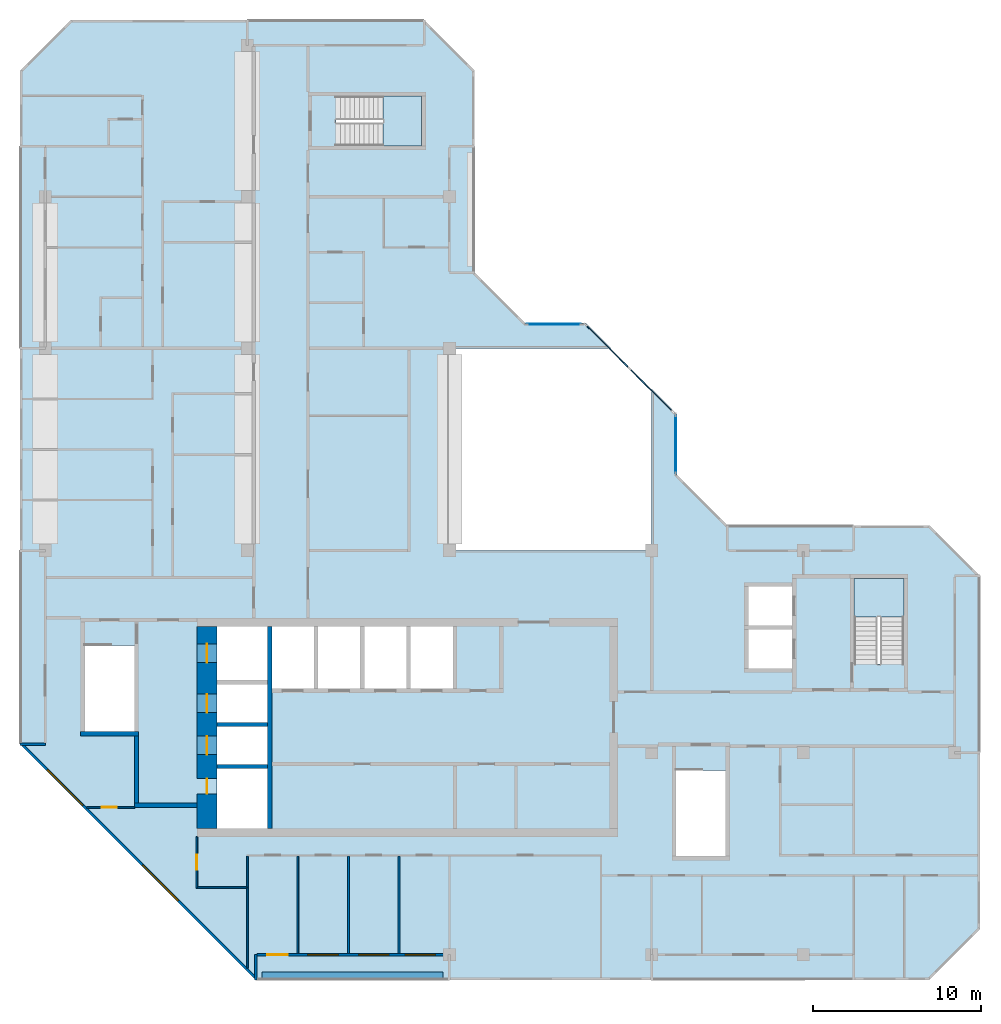
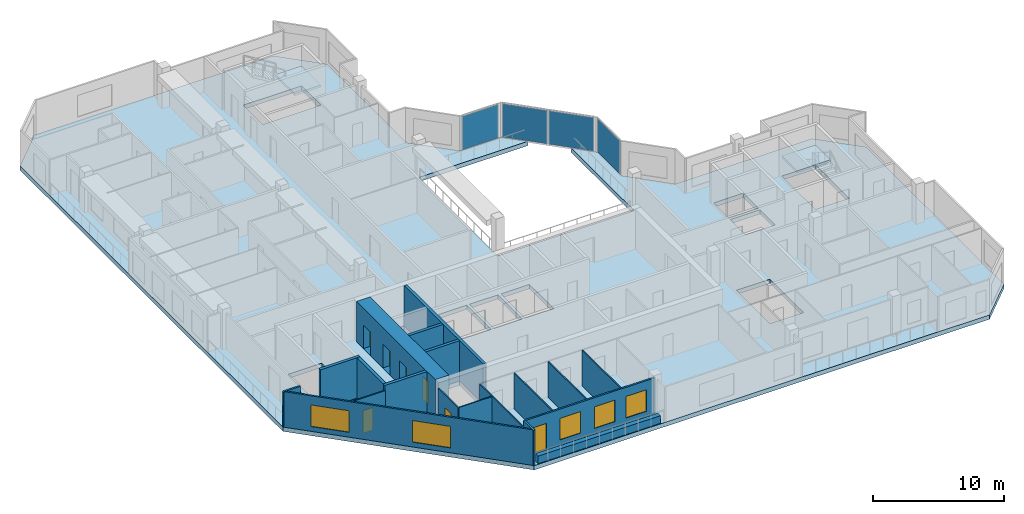
# One storey, part 3 of 11: 19 walls, 7 doors, 5 windows, 4 plates, 3 slabs, 12 openings, 5 elements without a shape of their own.
"""IFC4 building model written with IfcOpenShell, lengths in metres."""

import ifcopenshell
import ifcopenshell.guid

model = None  # the IFC model being written
_history = None  # IfcOwnerHistory: only IFC2X3 demands one
_inside = {}  # id of a spatial element -> (the spatial element, [elements in it])
_under = {}  # id of a project, library or spatial element -> (it, [spatial elements below it])
_declared = {}  # id of a project -> (the project, [libraries it declares])
_typed = {}  # id of a type object -> (the type object, [elements of that type])
_made_of = {}  # id of a material, layer set ... -> (it, [elements and type objects made of it])


def new_model(schema):
    """Start an empty IFC model of exactly this schema.

    Asked for "IFC4X3", IfcOpenShell would pick the latest addendum, in which some entities
    have other attributes; the version numbers below select the first issue.
    IFC2X3 requires an IfcOwnerHistory on every rooted entity: one is made here for all.
    """
    global model, _history
    if schema == "IFC4X3":
        model = ifcopenshell.file(schema_version=(4, 3, 0, 0))
    else:
        model = ifcopenshell.file(schema=schema)
    _inside.clear()
    _under.clear()
    _declared.clear()
    _typed.clear()
    _made_of.clear()
    _history = None
    if model.schema == "IFC2X3":
        org = make("IfcOrganization", Name="unknown")
        user = make(
            "IfcPersonAndOrganization",
            ThePerson=make("IfcPerson", FamilyName="unknown"),
            TheOrganization=org,
        )
        app = make(
            "IfcApplication",
            ApplicationDeveloper=org,
            Version="unknown",
            ApplicationFullName="unknown",
            ApplicationIdentifier="unknown",
        )
        _history = make(
            "IfcOwnerHistory",
            OwningUser=user,
            OwningApplication=app,
            ChangeAction="ADDED",
            CreationDate=0,
        )
    return model


def make(cls, **values):
    """One entity of the class cls with the attributes given. An attribute that is None is left unset."""
    return model.create_entity(
        cls, **{name: value for name, value in values.items() if value is not None}
    )


def rooted(cls, **values):
    """An entity with a GlobalId (a new one), such as an element, a storey or a relation."""
    return make(cls, GlobalId=ifcopenshell.guid.new(), OwnerHistory=_history, **values)


def si_unit(unit_type, name, prefix=None):
    """IfcSIUnit, for example si_unit("LENGTHUNIT", "METRE", prefix="MILLI")."""
    return make("IfcSIUnit", UnitType=unit_type, Prefix=prefix, Name=name)


def assignment(units):
    """IfcUnitAssignment: the units of a project."""
    return None if units is None else make("IfcUnitAssignment", Units=units)


def point(xyz):
    """IfcCartesianPoint."""
    return None if xyz is None else make("IfcCartesianPoint", Coordinates=xyz)


def direction(xyz):
    """IfcDirection."""
    return None if xyz is None else make("IfcDirection", DirectionRatios=xyz)


def frame(location, z_axis=None, x_axis=None):
    """IfcAxis2Placement3D, a coordinate frame: its origin and axes. An axis left out is left unset."""
    return make(
        "IfcAxis2Placement3D",
        Location=point(location),
        Axis=direction(z_axis),
        RefDirection=direction(x_axis),
    )


def frame_2d(location, x_axis=None):
    """IfcAxis2Placement2D, a coordinate frame in the plane: its origin and x axis."""
    return make(
        "IfcAxis2Placement2D", Location=point(location), RefDirection=direction(x_axis)
    )


def origin():
    """The frame at (0, 0, 0) with its axes left unset."""
    return frame((0.0, 0.0, 0.0))


def origin_2d():
    """The frame at (0, 0) in the plane with its x axis left unset."""
    return frame_2d((0.0, 0.0))


def place(relative_to, where):
    """IfcLocalPlacement: puts the frame where relative to a parent placement (None: the world)."""
    return make(
        "IfcLocalPlacement", PlacementRelTo=relative_to, RelativePlacement=where
    )


def context(
    kind, dimensions, precision=None, world=None, true_north=None, identifier=None
):
    """IfcGeometricRepresentationContext, for example the 3D "Model" context."""
    return make(
        "IfcGeometricRepresentationContext",
        ContextIdentifier=identifier,
        ContextType=kind,
        CoordinateSpaceDimension=dimensions,
        Precision=precision,
        WorldCoordinateSystem=world,
        TrueNorth=true_north,
    )


def subcontext(parent, identifier, kind, view, scale=None):
    """IfcGeometricRepresentationSubContext, for example "Body" below "Model"."""
    return make(
        "IfcGeometricRepresentationSubContext",
        ContextIdentifier=identifier,
        ContextType=kind,
        ParentContext=parent,
        TargetScale=scale,
        TargetView=view,
    )


def project(units=None, contexts=None):
    """IfcProject with its units and contexts."""
    return rooted(
        "IfcProject",
        Name="project",
        RepresentationContexts=contexts,
        UnitsInContext=assignment(units),
    )


def spatial(cls, under=None, at=None, **own):
    """A site, building, storey or space (cls), placed at a placement, below another one or the project."""
    s = rooted(cls, ObjectPlacement=at, **own)
    if under is not None:
        _under.setdefault(under.id(), (under, []))[1].append(s)
    return s


def polyline(points):
    """IfcPolyline through the points."""
    return make("IfcPolyline", Points=[point(p) for p in points])


def profile(cls, at=None, kind="AREA", **sizes):
    """A parametric profile (cls). Its sizes go by their IFC names, for example OverallWidth=200.0."""
    return make(cls, ProfileType=kind, Position=at, **sizes)


def rectangle(**sizes):
    """IfcRectangleProfileDef."""
    return profile("IfcRectangleProfileDef", **sizes)


def outline(outer, holes=None, kind="AREA"):
    """IfcArbitraryClosedProfileDef: a profile drawn as a closed curve; with holes, ...WithVoids."""
    if holes is None:
        return make("IfcArbitraryClosedProfileDef", ProfileType=kind, OuterCurve=outer)
    return make(
        "IfcArbitraryProfileDefWithVoids",
        ProfileType=kind,
        OuterCurve=outer,
        InnerCurves=holes,
    )


def extrude(swept, where, along, depth):
    """IfcExtrudedAreaSolid: the profile swept, set in the frame where, extruded along a direction by depth."""
    return make(
        "IfcExtrudedAreaSolid",
        SweptArea=swept,
        Position=where,
        ExtrudedDirection=direction(along),
        Depth=depth,
    )


def shape(context_of_items, identifier, shape_type, items):
    """IfcShapeRepresentation: the items that make up one representation, for example the "Body"."""
    return make(
        "IfcShapeRepresentation",
        ContextOfItems=context_of_items,
        RepresentationIdentifier=identifier,
        RepresentationType=shape_type,
        Items=items,
    )


def material(Name=None, Category=None):
    """IfcMaterial."""
    return make("IfcMaterial", Name=Name, Category=Category)


def layer(
    of_material, thickness, ventilated=None, Name=None, Category=None, Priority=None
):
    """IfcMaterialLayer: one layer of a wall or slab, of a material (None: an air gap)."""
    return make(
        "IfcMaterialLayer",
        Material=of_material,
        LayerThickness=thickness,
        IsVentilated=ventilated,
        Name=Name,
        Category=Category,
        Priority=Priority,
    )


def layer_set(layers, Name=None):
    """IfcMaterialLayerSet."""
    return make("IfcMaterialLayerSet", MaterialLayers=layers, LayerSetName=Name)


def made_of(thing, what):
    """Note that an element or type object is made of a material, layer set ...; save() writes the relation."""
    if what is not None:
        _made_of.setdefault(what.id(), (what, []))[1].append(thing)
    return thing


def type_object(cls, material=None, **own):
    """A type object (cls), such as IfcWallType, which elements share."""
    return made_of(rooted(cls, **own), material)


def element(
    cls,
    number,
    at=None,
    inside=None,
    cuts=None,
    type_object=None,
    material=None,
    context=None,
    identifier="Body",
    shape_type=None,
    held_by="IfcProductDefinitionShape",
    body=None,
    shapes=None,
    **own,
):
    """One element of the class cls, such as IfcWall. Its Tag is "e" and its number.

    at: its placement. inside: the storey or other place that contains it. cuts: it is an
    opening in that element (IfcRelVoidsElement). A single representation is given by context,
    identifier, shape_type and body (its items); several are given by shapes. held_by: the class
    of the entity that holds the representations. save() writes the other relations.
    """
    e = rooted(cls, Tag="e%d" % number, ObjectPlacement=at, **own)
    if body is not None:
        shapes = [shape(context, identifier, shape_type, body)]
    if shapes is not None:
        e.Representation = make(held_by, Representations=shapes)
    if inside is not None:
        _inside.setdefault(inside.id(), (inside, []))[1].append(e)
    if cuts is not None:
        rooted(
            "IfcRelVoidsElement", RelatingBuildingElement=cuts, RelatedOpeningElement=e
        )
    if type_object is not None:
        _typed.setdefault(type_object.id(), (type_object, []))[1].append(e)
    return made_of(e, material)


def fill(opening, filler):
    """IfcRelFillsElement: the door or window that sits in an opening."""
    return rooted(
        "IfcRelFillsElement",
        RelatingOpeningElement=opening,
        RelatedBuildingElement=filler,
    )


def aggregate(whole, parts):
    """IfcRelAggregates: a whole, such as a stair, and the parts it consists of."""
    return rooted("IfcRelAggregates", RelatingObject=whole, RelatedObjects=parts)


def save(model, path):
    """Write the relations noted so far, then the file.

    IfcRelAggregates (storeys below a building ...), IfcRelContainedInSpatialStructure (elements
    in a storey), IfcRelDefinesByType, IfcRelAssociatesMaterial and IfcRelDeclares: one each for
    every whole, place, type object, material and project.
    """
    for whole, parts in _under.values():
        aggregate(whole, parts)
    for where, things in _inside.values():
        rooted(
            "IfcRelContainedInSpatialStructure",
            RelatedElements=things,
            RelatingStructure=where,
        )
    for kind, things in _typed.values():
        rooted("IfcRelDefinesByType", RelatedObjects=things, RelatingType=kind)
    for what, things in _made_of.values():
        rooted("IfcRelAssociatesMaterial", RelatedObjects=things, RelatingMaterial=what)
    for by, libraries in _declared.values():
        rooted("IfcRelDeclares", RelatingContext=by, RelatedDefinitions=libraries)
    model.write(path)


model = new_model("IFC4")

# Units and contexts
model_context = context("Model", 3, precision=1e-05, world=origin(), true_north=direction((0.0, 1.0)))
body_context = subcontext(model_context, "Body", "Model", "MODEL_VIEW")
ifc_project = project(units=[si_unit("LENGTHUNIT", "METRE"), si_unit("AREAUNIT", "SQUARE_METRE"), si_unit("VOLUMEUNIT", "CUBIC_METRE"), si_unit("PLANEANGLEUNIT", "RADIAN"), si_unit("MASSUNIT", "GRAM", prefix="KILO")], contexts=[model_context])

# Site, building, storey
site_placement = place(None, origin())
site = spatial("IfcSite", under=ifc_project, at=site_placement, CompositionType="ELEMENT")
building_placement = place(site_placement, origin())
building = spatial("IfcBuilding", under=site, at=building_placement, Name="Chenar Terraces", CompositionType="ELEMENT")
storey_placement = place(building_placement, frame((0.0, 0.0, 380.14990234375)))
storey = spatial("IfcBuildingStorey", under=building, at=storey_placement, Name="L89", CompositionType="ELEMENT", Elevation=380.14990234375)

# Curtain wall, plate
ifc_material_1 = material(Name="Aluminium framed glazing", Category="aluminium")
ifc_layer_1 = layer(ifc_material_1, 0.14990234375)
ifc_layer_set_1 = layer_set([ifc_layer_1], Name="Aluminium framed glazing")
curtain_wall_type = type_object("IfcCurtainWallType", Name="Atrium upper-zone curtain wall", PredefinedType="NOTDEFINED", material=ifc_layer_set_1)
placement_1 = place(storey_placement, origin())
curtain_wall_1 = element("IfcCurtainWall", 1, at=placement_1, inside=storey, type_object=curtain_wall_type, Name="Atrium upper-zone curtain wall", PredefinedType="NOTDEFINED")
ifc_material_2 = material(Name="Low emissivity laminated glass, solar control coating", Category="glass")
ifc_layer_2 = layer(ifc_material_2, 0.050048828125)
ifc_layer_set_2 = layer_set([ifc_layer_2], Name="Low emissivity laminated glass, solar control coating")
plate_type = type_object("IfcPlateType", Name="Atrium upper-zone glazing panel 50", PredefinedType="CURTAIN_PANEL", material=ifc_layer_set_2)
plate_1_placement = place(storey_placement, frame((37.425048828125, 30.300048828125, 0.10009765625), z_axis=(0.0, 0.0, 1.0), x_axis=(0.0, 1.0, 0.0)))
plate_1 = element("IfcPlate", 2, at=plate_1_placement, type_object=plate_type, Name="CW8-1 panel 1.1", PredefinedType="CURTAIN_PANEL", context=body_context, shape_type="SweptSolid", body=[
    extrude(rectangle(XDim=3.39990234375, YDim=0.050048828125, at=origin_2d()), origin(), (0.0, 0.0, 1.0), 3.10009765625),
])
aggregate(curtain_wall_1, [plate_1])

# Curtain wall, plates
curtain_wall_2 = element("IfcCurtainWall", 3, at=placement_1, inside=storey, type_object=curtain_wall_type, Name="Atrium upper-zone curtain wall", PredefinedType="NOTDEFINED")
plate_2_placement = place(storey_placement, frame((35.97314453125, 33.520751953125, 0.10009765625), z_axis=(0.0, 0.0, 1.0), x_axis=(-0.707106781187, 0.707106781187, 0.0)))
plate_2 = element("IfcPlate", 4, at=plate_2_placement, type_object=plate_type, Name="CW8-2 panel 1.1", PredefinedType="CURTAIN_PANEL", context=body_context, shape_type="SweptSolid", body=[
    extrude(rectangle(XDim=3.568359375, YDim=0.050048828125, at=origin_2d()), origin(), (0.0, 0.0, 1.0), 3.10009765625),
])
plate_3_placement = place(storey_placement, frame((33.379150390625, 36.11474609375, 0.10009765625), z_axis=(0.0, 0.0, 1.0), x_axis=(-0.707106781187, 0.707106781187, 0.0)))
plate_3 = element("IfcPlate", 5, at=plate_3_placement, type_object=plate_type, Name="CW8-2 panel 2.1", PredefinedType="CURTAIN_PANEL", context=body_context, shape_type="SweptSolid", body=[
    extrude(rectangle(XDim=3.568359375, YDim=0.050048828125, at=origin_2d()), origin(), (0.0, 0.0, 1.0), 3.10009765625),
])
aggregate(curtain_wall_2, [plate_2, plate_3])

# Curtain wall, plate
curtain_wall_3 = element("IfcCurtainWall", 6, at=placement_1, inside=storey, type_object=curtain_wall_type, Name="Atrium upper-zone curtain wall", PredefinedType="NOTDEFINED")
plate_4_placement = place(storey_placement, frame((30.199951171875, 37.425048828125, 0.10009765625), z_axis=(0.0, 0.0, 1.0), x_axis=(-1.0, 0.0, 0.0)))
plate_4 = element("IfcPlate", 7, at=plate_4_placement, type_object=plate_type, Name="CW8-3 panel 1.1", PredefinedType="CURTAIN_PANEL", context=body_context, shape_type="SweptSolid", body=[
    extrude(rectangle(XDim=3.199951171875, YDim=0.050048828125, at=origin_2d()), origin(), (0.0, 0.0, 1.0), 3.10009765625),
])
aggregate(curtain_wall_3, [plate_4])

# Stair, slab
ifc_material_3 = material(Name="Reinforced concrete C40/50", Category="concrete")
stair_type = type_object("IfcStairType", Name="Core stair 1400 half-turn", PredefinedType="HALF_TURN_STAIR", material=ifc_material_3)
stair_1 = element("IfcStair", 8, at=placement_1, inside=storey, type_object=stair_type, Name="L89 Stair 3", PredefinedType="HALF_TURN_STAIR")
ifc_material_4 = material(Name="Reinforced concrete C40/50", Category="concrete")
ifc_layer_3 = layer(ifc_material_4, 0.199951171875)
ifc_layer_set_3 = layer_set([ifc_layer_3], Name="Reinforced concrete C40/50")
slab_type_1 = type_object("IfcSlabType", Name="Core stair landing 200", PredefinedType="LANDING", material=ifc_layer_set_3)
placement_2 = place(storey_placement, frame((0.0, 0.0, 1.675048828125)))
slab_1 = element("IfcSlab", 9, at=placement_2, type_object=slab_type_1, Name="ST3 landing 1", PredefinedType="LANDING", context=body_context, shape_type="SweptSolid", body=[
    extrude(outline(polyline([(50.97509765625, 20.050048828125), (50.97509765625, 22.35009765625), (48.02490234375, 22.35009765625), (48.02490234375, 20.050048828125), (50.97509765625, 20.050048828125)])), origin(), (0.0, 0.0, 1.0), 0.199951171875),
])
aggregate(stair_1, [slab_1])

stair_2 = element("IfcStair", 10, at=placement_1, inside=storey, type_object=stair_type, Name="L89 Stair 4", PredefinedType="HALF_TURN_STAIR")
slab_2 = element("IfcSlab", 11, at=placement_2, type_object=slab_type_1, Name="ST4 landing 1", PredefinedType="LANDING", context=body_context, shape_type="SweptSolid", body=[
    extrude(outline(polyline([(20.050048828125, 48.02490234375), (22.35009765625, 48.02490234375), (22.35009765625, 50.97509765625), (20.050048828125, 50.97509765625), (20.050048828125, 48.02490234375)])), origin(), (0.0, 0.0, 1.0), 0.199951171875),
])
aggregate(stair_2, [slab_2])

# Slab
ifc_material_5 = material(Name="Concrete C40/50", Category="concrete")
ifc_layer_4 = layer(ifc_material_5, 0.39990234375)
ifc_layer_set_4 = layer_set([ifc_layer_4], Name="Concrete C40/50")
slab_type_2 = type_object("IfcSlabType", Name="Floor slab 400 Concrete C40/50", PredefinedType="FLOOR", material=ifc_layer_set_4)
slab_3_placement = place(storey_placement, frame((0.0, 0.0, -0.39990234375)))
element("IfcSlab", 12, at=slab_3_placement, inside=storey, type_object=slab_type_2, Name="Floor slab L89", PredefinedType="FLOOR", context=body_context, shape_type="SweptSolid", body=[
    extrude(outline(polyline([(55.5, 22.5), (55.5, 1.5), (52.5, -1.5), (12.5, -1.5), (-1.5, 12.5), (-1.5, 52.5), (1.5, 55.5), (22.5, 55.5), (25.5, 52.5), (25.5, 40.5), (28.5, 37.5), (32.10009765625, 37.5), (33.60009765625, 36.0), (24.0, 36.0), (24.0, 24.0), (36.0, 24.0), (36.0, 33.60009765625), (37.5, 32.10009765625), (37.5, 28.5), (40.5, 25.5), (52.5, 25.5), (55.5, 22.5)]), holes=[polyline([(10.199951171875, 11.050048828125), (10.199951171875, 7.5), (13.199951171875, 7.5), (13.199951171875, 11.050048828125), (10.199951171875, 11.050048828125)]), polyline([(13.199951171875, 13.550048828125), (10.199951171875, 13.550048828125), (10.199951171875, 11.300048828125), (13.199951171875, 11.300048828125), (13.199951171875, 13.550048828125)]), polyline([(13.199951171875, 16.050048828125), (10.199951171875, 16.050048828125), (10.199951171875, 13.800048828125), (13.199951171875, 13.800048828125), (13.199951171875, 16.050048828125)]), polyline([(2.35009765625, 13.25), (5.300048828125, 13.25), (5.300048828125, 18.35009765625), (2.35009765625, 18.35009765625), (2.35009765625, 13.25)]), polyline([(15.949951171875, 19.5), (13.449951171875, 19.5), (13.449951171875, 15.800048828125), (15.949951171875, 15.800048828125), (15.949951171875, 19.5)]), polyline([(18.699951171875, 19.5), (16.199951171875, 19.5), (16.199951171875, 15.800048828125), (18.699951171875, 15.800048828125), (18.699951171875, 19.5)]), polyline([(13.199951171875, 19.5), (10.199951171875, 19.5), (10.199951171875, 16.300048828125), (13.199951171875, 16.300048828125), (13.199951171875, 19.5)]), polyline([(22.35009765625, 48.02490234375), (22.35009765625, 50.97509765625), (17.25, 50.97509765625), (17.25, 48.02490234375), (22.35009765625, 48.02490234375)]), polyline([(37.449951171875, 5.85009765625), (40.39990234375, 5.85009765625), (40.39990234375, 10.949951171875), (37.449951171875, 10.949951171875), (37.449951171875, 5.85009765625)]), polyline([(21.449951171875, 19.5), (18.949951171875, 19.5), (18.949951171875, 15.800048828125), (21.449951171875, 15.800048828125), (21.449951171875, 19.5)]), polyline([(24.199951171875, 19.5), (21.699951171875, 19.5), (21.699951171875, 15.800048828125), (24.199951171875, 15.800048828125), (24.199951171875, 19.5)]), polyline([(44.35009765625, 19.300048828125), (41.75, 19.300048828125), (41.75, 17.0), (44.35009765625, 17.0), (44.35009765625, 19.300048828125)]), polyline([(50.97509765625, 22.35009765625), (48.02490234375, 22.35009765625), (48.02490234375, 17.25), (50.97509765625, 17.25), (50.97509765625, 22.35009765625)]), polyline([(44.35009765625, 21.85009765625), (41.75, 21.85009765625), (41.75, 19.550048828125), (44.35009765625, 19.550048828125), (44.35009765625, 21.85009765625)])]), origin(), (0.0, 0.0, 1.0), 0.39990234375),
])

# Wall, openings, doors
ifc_material_6 = material(Name="Concrete C50/60", Category="concrete")
ifc_layer_5 = layer(ifc_material_6, 1.199951171875)
ifc_layer_set_5 = layer_set([ifc_layer_5], Name="Concrete C50/60")
wall_type_1 = type_object("IfcWallType", Name="Core wall 1200 Concrete C50/60", PredefinedType="SHEAR", material=ifc_layer_set_5)
wall_1_placement = place(storey_placement, frame((9.60009765625, 7.5, 0.0), z_axis=(0.0, 0.0, 1.0), x_axis=(0.0, 1.0, 0.0)))
wall_1 = element("IfcWall", 13, at=wall_1_placement, inside=storey, type_object=wall_type_1, Name="Core wall W L89", PredefinedType="SHEAR", context=body_context, shape_type="SweptSolid", body=[
    extrude(rectangle(XDim=12.0, YDim=1.199951171875, at=frame_2d((6.0, 0.0))), origin(), (0.0, 0.0, 1.0), 3.75),
])
opening_1_placement = place(wall_1_placement, frame((4.375, 0.0, 0.0)))
opening_1 = element("IfcOpeningElement", 14, at=opening_1_placement, cuts=wall_1, Name="Opening DL89-LD5", PredefinedType="OPENING", context=body_context, shape_type="SweptSolid", body=[
    extrude(rectangle(XDim=1.10009765625, YDim=2.199951171875, at=frame_2d((0.550048828125, 1.10009765625))), frame((0.0, 0.60986328125, 0.0), z_axis=(0.0, -1.0, 0.0), x_axis=(1.0, 0.0, 0.0)), (0.0, 0.0, 1.0), 1.219970703125),
])
opening_2_placement = place(wall_1_placement, frame((6.875, 0.0, 0.0)))
opening_2 = element("IfcOpeningElement", 15, at=opening_2_placement, cuts=wall_1, Name="Opening DL89-LD6", PredefinedType="OPENING", context=body_context, shape_type="SweptSolid", body=[
    extrude(rectangle(XDim=1.10009765625, YDim=2.199951171875, at=frame_2d((0.550048828125, 1.10009765625))), frame((0.0, 0.60986328125, 0.0), z_axis=(0.0, -1.0, 0.0), x_axis=(1.0, 0.0, 0.0)), (0.0, 0.0, 1.0), 1.219970703125),
])
opening_3_placement = place(wall_1_placement, frame((9.85009765625, 0.0, 0.0)))
opening_3 = element("IfcOpeningElement", 16, at=opening_3_placement, cuts=wall_1, Name="Opening DL89-LD7", PredefinedType="OPENING", context=body_context, shape_type="SweptSolid", body=[
    extrude(rectangle(XDim=1.10009765625, YDim=2.199951171875, at=frame_2d((0.550048828125, 1.10009765625))), frame((0.0, 0.60986328125, 0.0), z_axis=(0.0, -1.0, 0.0), x_axis=(1.0, 0.0, 0.0)), (0.0, 0.0, 1.0), 1.219970703125),
])
opening_4_placement = place(wall_1_placement, frame((2.050048828125, 0.0, 0.0)))
opening_4 = element("IfcOpeningElement", 17, at=opening_4_placement, cuts=wall_1, Name="Opening DL89-C4", PredefinedType="OPENING", context=body_context, shape_type="SweptSolid", body=[
    extrude(rectangle(XDim=0.89990234375, YDim=2.10009765625, at=frame_2d((0.449951171875, 1.050048828125))), frame((0.0, 0.60986328125, 0.0), z_axis=(0.0, -1.0, 0.0), x_axis=(1.0, 0.0, 0.0)), (0.0, 0.0, 1.0), 1.219970703125),
])
ifc_material_7 = material(Name="Stainless steel", Category="steel")
door_type_1 = type_object("IfcDoorType", Name="Lift landing door 1100 x 2200 sliding", OperationType="DOUBLE_DOOR_SLIDING", PredefinedType="DOOR", material=ifc_material_7)
door_1_placement = place(opening_1_placement, origin())
door_1 = element("IfcDoor", 18, at=door_1_placement, inside=storey, type_object=door_type_1, Name="Landing door S1", OperationType="DOUBLE_DOOR_SLIDING", OverallHeight=2.199951171875, OverallWidth=1.10009765625, PredefinedType="DOOR", context=body_context, shape_type="SweptSolid", body=[
    extrude(rectangle(XDim=1.10009765625, YDim=2.199951171875, at=frame_2d((0.550048828125, 1.10009765625))), frame((0.0, 0.02490234375, 0.0), z_axis=(0.0, -1.0, 0.0), x_axis=(1.0, 0.0, 0.0)), (0.0, 0.0, 1.0), 0.050048828125),
])
fill(opening_1, door_1)
door_2_placement = place(opening_2_placement, origin())
door_2 = element("IfcDoor", 19, at=door_2_placement, inside=storey, type_object=door_type_1, Name="Landing door F1", OperationType="DOUBLE_DOOR_SLIDING", OverallHeight=2.199951171875, OverallWidth=1.10009765625, PredefinedType="DOOR", context=body_context, shape_type="SweptSolid", body=[
    extrude(rectangle(XDim=1.10009765625, YDim=2.199951171875, at=frame_2d((0.550048828125, 1.10009765625))), frame((0.0, 0.02490234375, 0.0), z_axis=(0.0, -1.0, 0.0), x_axis=(1.0, 0.0, 0.0)), (0.0, 0.0, 1.0), 0.050048828125),
])
fill(opening_2, door_2)
door_3_placement = place(opening_3_placement, origin())
door_3 = element("IfcDoor", 20, at=door_3_placement, inside=storey, type_object=door_type_1, Name="Landing door F2", OperationType="DOUBLE_DOOR_SLIDING", OverallHeight=2.199951171875, OverallWidth=1.10009765625, PredefinedType="DOOR", context=body_context, shape_type="SweptSolid", body=[
    extrude(rectangle(XDim=1.10009765625, YDim=2.199951171875, at=frame_2d((0.550048828125, 1.10009765625))), frame((0.0, 0.02490234375, 0.0), z_axis=(0.0, -1.0, 0.0), x_axis=(1.0, 0.0, 0.0)), (0.0, 0.0, 1.0), 0.050048828125),
])
fill(opening_3, door_3)
ifc_material_8 = material(Name="Steel-framed fire-resisting door leaf", Category="steel")
door_type_2 = type_object("IfcDoorType", Name="Riser fire door FD60 900 x 2100", OperationType="SINGLE_SWING_LEFT", PredefinedType="DOOR", material=ifc_material_8)
door_4_placement = place(opening_4_placement, frame((0.89990234375, 0.0, 0.0), z_axis=(0.0, 0.0, 1.0), x_axis=(-1.0, 0.0, 0.0)))
door_4 = element("IfcDoor", 21, at=door_4_placement, inside=storey, type_object=door_type_2, Name="Riser door DL89-C4", OperationType="SINGLE_SWING_LEFT", OverallHeight=2.10009765625, OverallWidth=0.89990234375, PredefinedType="DOOR", context=body_context, shape_type="SweptSolid", body=[
    extrude(rectangle(XDim=0.89990234375, YDim=2.10009765625, at=frame_2d((0.449951171875, 1.050048828125))), frame((0.0, 0.02490234375, 0.0), z_axis=(0.0, -1.0, 0.0), x_axis=(1.0, 0.0, 0.0)), (0.0, 0.0, 1.0), 0.050048828125),
])
fill(opening_4, door_4)

# Walls
ifc_material_9 = material(Name="Concrete C50/60", Category="concrete")
ifc_layer_6 = layer(ifc_material_9, 0.25)
ifc_layer_set_6 = layer_set([ifc_layer_6], Name="Concrete C50/60")
wall_type_2 = type_object("IfcWallType", Name="Core wall 250 Concrete C50/60", PredefinedType="SHEAR", material=ifc_layer_set_6)
wall_2_placement = place(storey_placement, frame((13.324951171875, 7.5, 0.0), z_axis=(0.0, 0.0, 1.0), x_axis=(0.0, 1.0, 0.0)))
element("IfcWall", 22, at=wall_2_placement, inside=storey, type_object=wall_type_2, Name="Core wall WI L89", PredefinedType="SHEAR", context=body_context, shape_type="SweptSolid", body=[
    extrude(rectangle(XDim=12.0, YDim=0.25, at=frame_2d((6.0, 0.0))), origin(), (0.0, 0.0, 1.0), 3.75),
])
for number, where, z_axis, x_axis, name in (
    (23, (10.199951171875, 11.175048828125, 0.0), (0.0, 0.0, 1.0), (1.0, 0.0, 0.0), "Core wall HW0 L89"),
    (24, (10.199951171875, 13.675048828125, 0.0), (0.0, 0.0, 1.0), (1.0, 0.0, 0.0), "Core wall HW1 L89"),
):
    element("IfcWall", number, at=place(storey_placement, frame(where, z_axis=z_axis, x_axis=x_axis)), inside=storey, type_object=wall_type_2, Name=name, PredefinedType="SHEAR", context=body_context, shape_type="SweptSolid", body=[
        extrude(rectangle(XDim=3.0, YDim=0.25, at=frame_2d((1.5, 0.0))), origin(), (0.0, 0.0, 1.0), 3.75),
    ])
wall_3_placement = place(storey_placement, frame((2.10009765625, 13.125, 0.0), z_axis=(0.0, 0.0, 1.0), x_axis=(1.0, 0.0, 0.0)))
element("IfcWall", 25, at=wall_3_placement, inside=storey, type_object=wall_type_2, Name="Core wall ST1_S L89", PredefinedType="SHEAR", context=body_context, shape_type="SweptSolid", body=[
    extrude(rectangle(XDim=3.449951171875, YDim=0.25, at=frame_2d((1.72509765625, 0.0))), origin(), (0.0, 0.0, 1.0), 3.75),
])
wall_4_placement = place(storey_placement, frame((5.300048828125, 8.875, 0.0), z_axis=(0.0, 0.0, 1.0), x_axis=(1.0, 0.0, 0.0)))
element("IfcWall", 26, at=wall_4_placement, inside=storey, type_object=wall_type_2, Name="Core wall FFL_S L89", PredefinedType="SHEAR", context=body_context, shape_type="SweptSolid", body=[
    extrude(rectangle(XDim=3.699951171875, YDim=0.25, at=frame_2d((1.85009765625, 0.0))), origin(), (0.0, 0.0, 1.0), 3.75),
])
wall_5_placement = place(storey_placement, frame((5.425048828125, 9.0, 0.0), z_axis=(0.0, 0.0, 1.0), x_axis=(0.0, 1.0, 0.0)))
element("IfcWall", 27, at=wall_5_placement, inside=storey, type_object=wall_type_2, Name="Core wall FFL_W L89", PredefinedType="SHEAR", context=body_context, shape_type="SweptSolid", body=[
    extrude(rectangle(XDim=4.0, YDim=0.25, at=frame_2d((2.0, 0.0))), origin(), (0.0, 0.0, 1.0), 3.75),
])

# Wall, openings, windows, door
ifc_material_10 = material(Name="Aluminium framed glazing", Category="aluminium")
ifc_layer_7 = layer(ifc_material_10, 0.14990234375)
ifc_layer_set_7 = layer_set([ifc_layer_7], Name="Aluminium framed glazing")
wall_type_3 = type_object("IfcWallType", Name="Glazed loggia back wall 150", PredefinedType="SOLIDWALL", material=ifc_layer_set_7)
wall_6_placement = place(storey_placement, frame((12.574951171875, 0.0, 0.0), z_axis=(0.0, 0.0, 1.0), x_axis=(1.0, 0.0, 0.0)))
wall_6 = element("IfcWall", 28, at=wall_6_placement, inside=storey, type_object=wall_type_3, Name="Glazed loggia back wall", PredefinedType="SOLIDWALL", context=body_context, shape_type="SweptSolid", body=[
    extrude(rectangle(XDim=11.35009765625, YDim=0.14990234375, at=frame_2d((5.675048828125, 0.0))), origin(), (0.0, 0.0, 1.0), 3.300048828125),
])
opening_5_placement = place(wall_6_placement, frame((0.612548828125, 0.0, 0.0)))
opening_5 = element("IfcOpeningElement", 29, at=opening_5_placement, cuts=wall_6, Name="Opening DL89-G3", PredefinedType="OPENING", context=body_context, shape_type="SweptSolid", body=[
    extrude(rectangle(XDim=1.199951171875, YDim=2.39990234375, at=frame_2d((0.60009765625, 1.199951171875))), frame((0.0, 0.0849609375, 0.0), z_axis=(0.0, -1.0, 0.0), x_axis=(1.0, 0.0, 0.0)), (0.0, 0.0, 1.0), 0.169921875),
])
opening_6_placement = place(wall_6_placement, frame((3.02490234375, 0.0, 0.449951171875)))
opening_6 = element("IfcOpeningElement", 30, at=opening_6_placement, cuts=wall_6, Name="Opening W180x200", PredefinedType="OPENING", context=body_context, shape_type="SweptSolid", body=[
    extrude(rectangle(XDim=1.800048828125, YDim=2.0, at=frame_2d((0.89990234375, 1.0))), frame((0.0, 0.0849609375, 0.0), z_axis=(0.0, -1.0, 0.0), x_axis=(1.0, 0.0, 0.0)), (0.0, 0.0, 1.0), 0.169921875),
])
opening_7_placement = place(wall_6_placement, frame((6.02490234375, 0.0, 0.449951171875)))
opening_7 = element("IfcOpeningElement", 31, at=opening_7_placement, cuts=wall_6, Name="Opening W180x200", PredefinedType="OPENING", context=body_context, shape_type="SweptSolid", body=[
    extrude(rectangle(XDim=1.800048828125, YDim=2.0, at=frame_2d((0.89990234375, 1.0))), frame((0.0, 0.0849609375, 0.0), z_axis=(0.0, -1.0, 0.0), x_axis=(1.0, 0.0, 0.0)), (0.0, 0.0, 1.0), 0.169921875),
])
opening_8_placement = place(wall_6_placement, frame((8.78759765625, 0.0, 0.449951171875)))
opening_8 = element("IfcOpeningElement", 32, at=opening_8_placement, cuts=wall_6, Name="Opening W180x200", PredefinedType="OPENING", context=body_context, shape_type="SweptSolid", body=[
    extrude(rectangle(XDim=1.800048828125, YDim=2.0, at=frame_2d((0.89990234375, 1.0))), frame((0.0, 0.0849609375, 0.0), z_axis=(0.0, -1.0, 0.0), x_axis=(1.0, 0.0, 0.0)), (0.0, 0.0, 1.0), 0.169921875),
])
ifc_material_11 = material(Name="Low emissivity double glazing, aluminium frame", Category="aluminium")
window_type_1 = type_object("IfcWindowType", Name="Fixed light 1800 x 2000", PartitioningType="SINGLE_PANEL", PredefinedType="WINDOW", material=ifc_material_11)
window_1_placement = place(opening_6_placement, origin())
window_1 = element("IfcWindow", 33, at=window_1_placement, inside=storey, type_object=window_type_1, Name="Window", OverallHeight=2.0, OverallWidth=1.800048828125, PartitioningType="SINGLE_PANEL", PredefinedType="WINDOW", context=body_context, shape_type="SweptSolid", body=[
    extrude(rectangle(XDim=1.800048828125, YDim=2.0, at=frame_2d((0.89990234375, 1.0))), frame((0.0, 0.030029296875, 0.0), z_axis=(0.0, -1.0, 0.0), x_axis=(1.0, 0.0, 0.0)), (0.0, 0.0, 1.0), 0.06005859375),
])
fill(opening_6, window_1)
window_2_placement = place(opening_7_placement, origin())
window_2 = element("IfcWindow", 34, at=window_2_placement, inside=storey, type_object=window_type_1, Name="Window", OverallHeight=2.0, OverallWidth=1.800048828125, PartitioningType="SINGLE_PANEL", PredefinedType="WINDOW", context=body_context, shape_type="SweptSolid", body=[
    extrude(rectangle(XDim=1.800048828125, YDim=2.0, at=frame_2d((0.89990234375, 1.0))), frame((0.0, 0.030029296875, 0.0), z_axis=(0.0, -1.0, 0.0), x_axis=(1.0, 0.0, 0.0)), (0.0, 0.0, 1.0), 0.06005859375),
])
fill(opening_7, window_2)
window_3_placement = place(opening_8_placement, origin())
window_3 = element("IfcWindow", 35, at=window_3_placement, inside=storey, type_object=window_type_1, Name="Window", OverallHeight=2.0, OverallWidth=1.800048828125, PartitioningType="SINGLE_PANEL", PredefinedType="WINDOW", context=body_context, shape_type="SweptSolid", body=[
    extrude(rectangle(XDim=1.800048828125, YDim=2.0, at=frame_2d((0.89990234375, 1.0))), frame((0.0, 0.030029296875, 0.0), z_axis=(0.0, -1.0, 0.0), x_axis=(1.0, 0.0, 0.0)), (0.0, 0.0, 1.0), 0.06005859375),
])
fill(opening_8, window_3)
ifc_material_12 = material(Name="Low emissivity double glazing, aluminium frame", Category="aluminium")
door_type_3 = type_object("IfcDoorType", Name="Loggia glazed double door 1200 x 2400", OperationType="DOUBLE_DOOR_SINGLE_SWING", PredefinedType="DOOR", material=ifc_material_12)
door_5_placement = place(opening_5_placement, frame((1.199951171875, 0.0, 0.0), z_axis=(0.0, 0.0, 1.0), x_axis=(-1.0, 0.0, 0.0)))
door_5 = element("IfcDoor", 36, at=door_5_placement, inside=storey, type_object=door_type_3, Name="Loggia glazed door", OperationType="DOUBLE_DOOR_SINGLE_SWING", OverallHeight=2.39990234375, OverallWidth=1.199951171875, PredefinedType="DOOR", context=body_context, shape_type="SweptSolid", body=[
    extrude(rectangle(XDim=1.199951171875, YDim=2.39990234375, at=frame_2d((0.60009765625, 1.199951171875))), frame((0.0, 0.02490234375, 0.0), z_axis=(0.0, -1.0, 0.0), x_axis=(1.0, 0.0, 0.0)), (0.0, 0.0, 1.0), 0.050048828125),
])
fill(opening_5, door_5)

# Wall, opening, door
ifc_material_13 = material(Name="Gypsum board on steel studs", Category="steel")
ifc_layer_8 = layer(ifc_material_13, 0.10009765625)
ifc_layer_set_8 = layer_set([ifc_layer_8], Name="Gypsum board on steel studs")
wall_type_4 = type_object("IfcWallType", Name="Gypsum partition 100", PredefinedType="PARTITIONING", material=ifc_layer_set_8)
wall_7_placement = place(storey_placement, frame((2.4609375, 8.75, 0.0), z_axis=(0.0, 0.0, 1.0), x_axis=(1.0, 0.0, 0.0)))
wall_7 = element("IfcWall", 37, at=wall_7_placement, inside=storey, type_object=wall_type_4, Name="Partition L89-011", PredefinedType="PARTITIONING", context=body_context, shape_type="SweptSolid", body=[
    extrude(rectangle(XDim=2.839111328125, YDim=0.10009765625, at=frame_2d((1.41943359375, 0.0))), origin(), (0.0, 0.0, 1.0), 3.300048828125),
])
opening_9_placement = place(wall_7_placement, frame((0.888916015625, 0.0, 0.0)))
opening_9 = element("IfcOpeningElement", 38, at=opening_9_placement, cuts=wall_7, Name="Opening DL89-32", PredefinedType="OPENING", context=body_context, shape_type="SweptSolid", body=[
    extrude(rectangle(XDim=0.89990234375, YDim=2.10009765625, at=frame_2d((0.449951171875, 1.050048828125))), frame((0.0, 0.06005859375, 0.0), z_axis=(0.0, -1.0, 0.0), x_axis=(1.0, 0.0, 0.0)), (0.0, 0.0, 1.0), 0.1201171875),
])
ifc_material_14 = material(Name="Veneered timber door leaf", Category="wood")
door_type_4 = type_object("IfcDoorType", Name="Door 900 x 2100", OperationType="SINGLE_SWING_LEFT", PredefinedType="DOOR", material=ifc_material_14)
door_6_placement = place(opening_9_placement, frame((0.89990234375, 0.0, 0.0), z_axis=(0.0, 0.0, 1.0), x_axis=(-1.0, 0.0, 0.0)))
door_6 = element("IfcDoor", 39, at=door_6_placement, inside=storey, type_object=door_type_4, Name="Door DL89-32", OperationType="SINGLE_SWING_RIGHT", OverallHeight=2.10009765625, OverallWidth=0.89990234375, PredefinedType="DOOR", context=body_context, shape_type="SweptSolid", body=[
    extrude(rectangle(XDim=0.89990234375, YDim=2.10009765625, at=frame_2d((0.449951171875, 1.050048828125))), frame((0.0, 0.02490234375, 0.0), z_axis=(0.0, -1.0, 0.0), x_axis=(1.0, 0.0, 0.0)), (0.0, 0.0, 1.0), 0.050048828125),
])
fill(opening_9, door_6)

wall_8_placement = place(storey_placement, frame((9.0, 3.949951171875, 0.0), z_axis=(0.0, 0.0, 1.0), x_axis=(0.0, 1.0, 0.0)))
wall_8 = element("IfcWall", 40, at=wall_8_placement, inside=storey, type_object=wall_type_4, Name="Partition L89-025", PredefinedType="PARTITIONING", context=body_context, shape_type="SweptSolid", body=[
    extrude(rectangle(XDim=3.050048828125, YDim=0.10009765625, at=frame_2d((1.52490234375, 0.0))), origin(), (0.0, 0.0, 1.0), 3.300048828125),
])
opening_10_placement = place(wall_8_placement, frame((1.10009765625, 0.0, 0.0)))
opening_10 = element("IfcOpeningElement", 41, at=opening_10_placement, cuts=wall_8, Name="Opening DL89-31", PredefinedType="OPENING", context=body_context, shape_type="SweptSolid", body=[
    extrude(rectangle(XDim=0.89990234375, YDim=2.10009765625, at=frame_2d((0.449951171875, 1.050048828125))), frame((0.0, 0.06005859375, 0.0), z_axis=(0.0, -1.0, 0.0), x_axis=(1.0, 0.0, 0.0)), (0.0, 0.0, 1.0), 0.1201171875),
])
door_7_placement = place(opening_10_placement, origin())
door_7 = element("IfcDoor", 42, at=door_7_placement, inside=storey, type_object=door_type_4, Name="Door DL89-31", OperationType="SINGLE_SWING_LEFT", OverallHeight=2.10009765625, OverallWidth=0.89990234375, PredefinedType="DOOR", context=body_context, shape_type="SweptSolid", body=[
    extrude(rectangle(XDim=0.89990234375, YDim=2.10009765625, at=frame_2d((0.449951171875, 1.050048828125))), frame((0.0, 0.02490234375, 0.0), z_axis=(0.0, -1.0, 0.0), x_axis=(1.0, 0.0, 0.0)), (0.0, 0.0, 1.0), 0.050048828125),
])
fill(opening_10, door_7)

# Walls
wall_9_placement = place(storey_placement, frame((9.050048828125, 4.0, 0.0), z_axis=(0.0, 0.0, 1.0), x_axis=(1.0, 0.0, 0.0)))
element("IfcWall", 43, at=wall_9_placement, inside=storey, type_object=wall_type_4, Name="Partition L89-026", PredefinedType="PARTITIONING", context=body_context, shape_type="SweptSolid", body=[
    extrude(rectangle(XDim=2.89990234375, YDim=0.10009765625, at=frame_2d((1.449951171875, 0.0))), origin(), (0.0, 0.0, 1.0), 3.300048828125),
])
wall_10_placement = place(storey_placement, frame((12.0, -0.787841796875, 0.0), z_axis=(0.0, 0.0, 1.0), x_axis=(0.0, 1.0, 0.0)))
element("IfcWall", 44, at=wall_10_placement, inside=storey, type_object=wall_type_4, Name="Partition L89-028", PredefinedType="PARTITIONING", context=body_context, shape_type="SweptSolid", body=[
    extrude(rectangle(XDim=6.637939453125, YDim=0.10009765625, at=frame_2d((3.31884765625, 0.0))), origin(), (0.0, 0.0, 1.0), 3.300048828125),
])
for number, where, z_axis, x_axis, name in (
    (45, (15.0, 0.073974609375, 0.0), (0.0, 0.0, 1.0), (0.0, 1.0, 0.0), "Partition L89-030"),
    (46, (18.0, 0.073974609375, 0.0), (0.0, 0.0, 1.0), (0.0, 1.0, 0.0), "Partition L89-039"),
    (47, (21.0, 0.073974609375, 0.0), (0.0, 0.0, 1.0), (0.0, 1.0, 0.0), "Partition L89-043"),
):
    element("IfcWall", number, at=place(storey_placement, frame(where, z_axis=z_axis, x_axis=x_axis)), inside=storey, type_object=wall_type_4, Name=name, PredefinedType="PARTITIONING", context=body_context, shape_type="SweptSolid", body=[
        extrude(rectangle(XDim=5.776123046875, YDim=0.10009765625, at=frame_2d((2.88818359375, 0.0))), origin(), (0.0, 0.0, 1.0), 3.300048828125),
    ])
ifc_material_15 = material(Name="Terracotta cladding on insulated backing", Category="masonry")
ifc_layer_9 = layer(ifc_material_15, 0.14990234375)
ifc_layer_set_9 = layer_set([ifc_layer_9], Name="Terracotta cladding on insulated backing")
wall_type_5 = type_object("IfcWallType", Name="Loggia return wall 150", PredefinedType="SOLIDWALL", material=ifc_layer_set_9)
for number, where, z_axis, x_axis, name in (
    (48, (-1.5, 12.5, 0.0), (0.0, 0.0, 1.0), (1.0, 0.0, 0.0), "Loggia return wall"),
    (49, (12.5, -1.5, 0.0), (0.0, 0.0, 1.0), (0.0, 1.0, 0.0), "Loggia return wall"),
):
    element("IfcWall", number, at=place(storey_placement, frame(where, z_axis=z_axis, x_axis=x_axis)), inside=storey, type_object=wall_type_5, Name=name, PredefinedType="SOLIDWALL", context=body_context, shape_type="SweptSolid", body=[
        extrude(rectangle(XDim=1.5, YDim=0.14990234375, at=frame_2d((0.75, 0.0))), origin(), (0.0, 0.0, 1.0), 3.300048828125),
    ])

# Wall, openings, windows
ifc_material_16 = material(Name="Terracotta cladding on insulated backing", Category="masonry")
ifc_layer_10 = layer(ifc_material_16, 0.14990234375)
ifc_layer_set_10 = layer_set([ifc_layer_10], Name="Terracotta cladding on insulated backing")
wall_type_6 = type_object("IfcWallType", Name="Terracotta rainscreen wall 150", PredefinedType="SOLIDWALL", material=ifc_layer_set_10)
wall_11_placement = place(storey_placement, frame((-1.447021484375, 12.552978515625, 0.0), z_axis=(0.0, 0.0, 1.0), x_axis=(0.707106781187, -0.707106781187, 0.0)))
wall_11 = element("IfcWall", 50, at=wall_11_placement, inside=storey, type_object=wall_type_6, Name="Terracotta rainscreen wall", PredefinedType="SOLIDWALL", context=body_context, shape_type="SweptSolid", body=[
    extrude(rectangle(XDim=19.799072265625, YDim=0.14990234375, at=frame_2d((9.8994140625, 0.0))), origin(), (0.0, 0.0, 1.0), 3.300048828125),
])
opening_11_placement = place(wall_11_placement, frame((2.21240234375, 0.0, 0.449951171875)))
opening_11 = element("IfcOpeningElement", 51, at=opening_11_placement, cuts=wall_11, Name="Opening W300x200", PredefinedType="OPENING", context=body_context, shape_type="SweptSolid", body=[
    extrude(rectangle(XDim=3.0, YDim=2.0, at=frame_2d((1.5, 1.0))), frame((0.0, 0.0849609375, 0.0), z_axis=(0.0, -1.0, 0.0), x_axis=(1.0, 0.0, 0.0)), (0.0, 0.0, 1.0), 0.169921875),
])
opening_12_placement = place(wall_11_placement, frame((10.215576171875, 0.0, 0.449951171875)))
opening_12 = element("IfcOpeningElement", 52, at=opening_12_placement, cuts=wall_11, Name="Opening W300x200", PredefinedType="OPENING", context=body_context, shape_type="SweptSolid", body=[
    extrude(rectangle(XDim=3.0, YDim=2.0, at=frame_2d((1.5, 1.0))), frame((0.0, 0.0849609375, 0.0), z_axis=(0.0, -1.0, 0.0), x_axis=(1.0, 0.0, 0.0)), (0.0, 0.0, 1.0), 0.169921875),
])
ifc_material_17 = material(Name="Low emissivity double glazing, aluminium frame", Category="aluminium")
window_type_2 = type_object("IfcWindowType", Name="Fixed light 3000 x 2000", PartitioningType="SINGLE_PANEL", PredefinedType="WINDOW", material=ifc_material_17)
window_4_placement = place(opening_11_placement, origin())
window_4 = element("IfcWindow", 53, at=window_4_placement, inside=storey, type_object=window_type_2, Name="Window", OverallHeight=2.0, OverallWidth=3.0, PartitioningType="SINGLE_PANEL", PredefinedType="WINDOW", context=body_context, shape_type="SweptSolid", body=[
    extrude(rectangle(XDim=3.0, YDim=2.0, at=frame_2d((1.5, 1.0))), frame((0.0, 0.030029296875, 0.0), z_axis=(0.0, -1.0, 0.0), x_axis=(1.0, 0.0, 0.0)), (0.0, 0.0, 1.0), 0.06005859375),
])
fill(opening_11, window_4)
window_5_placement = place(opening_12_placement, origin())
window_5 = element("IfcWindow", 54, at=window_5_placement, inside=storey, type_object=window_type_2, Name="Window", OverallHeight=2.0, OverallWidth=3.0, PartitioningType="SINGLE_PANEL", PredefinedType="WINDOW", context=body_context, shape_type="SweptSolid", body=[
    extrude(rectangle(XDim=3.0, YDim=2.0, at=frame_2d((1.5, 1.0))), frame((0.0, 0.030029296875, 0.0), z_axis=(0.0, -1.0, 0.0), x_axis=(1.0, 0.0, 0.0)), (0.0, 0.0, 1.0), 0.06005859375),
])
fill(opening_12, window_5)

# Wall
ifc_material_18 = material(Name="GRP planter trough")
ifc_layer_11 = layer(ifc_material_18, 0.39990234375)
ifc_layer_set_11 = layer_set([ifc_layer_11], Name="GRP planter trough")
wall_type_7 = type_object("IfcWallType", Name="Vertical greenery planter 400", PredefinedType="SOLIDWALL", material=ifc_layer_set_11)
wall_12_placement = place(storey_placement, frame((12.875, -1.22900390625, 0.0), z_axis=(0.0, 0.0, 1.0), x_axis=(1.0, 0.0, 0.0)))
element("IfcWall", 55, at=wall_12_placement, inside=storey, type_object=wall_type_7, Name="Vertical greenery planter", PredefinedType="SOLIDWALL", context=body_context, shape_type="SweptSolid", body=[
    extrude(rectangle(XDim=10.75, YDim=0.39990234375, at=frame_2d((5.375, 0.0))), origin(), (0.0, 0.0, 1.0), 0.7001953125),
])

save(model, "model.ifc")
